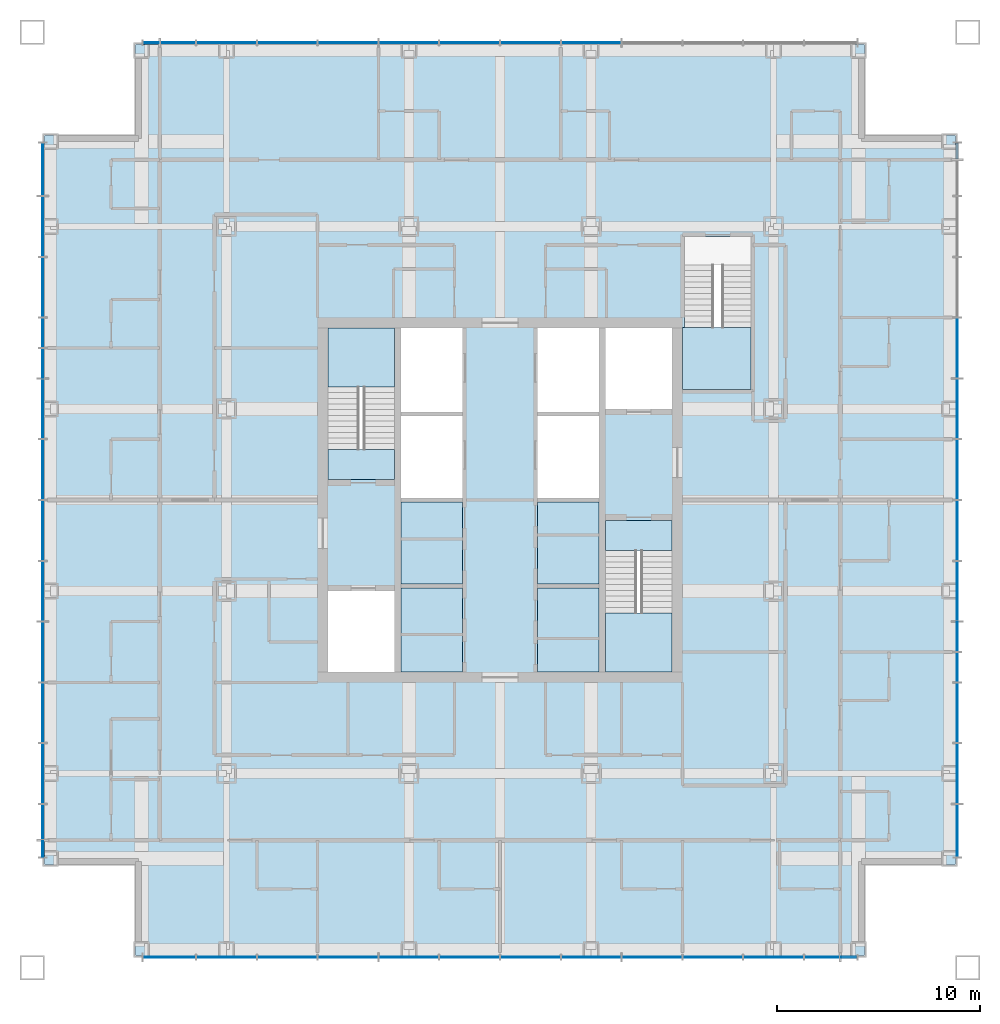
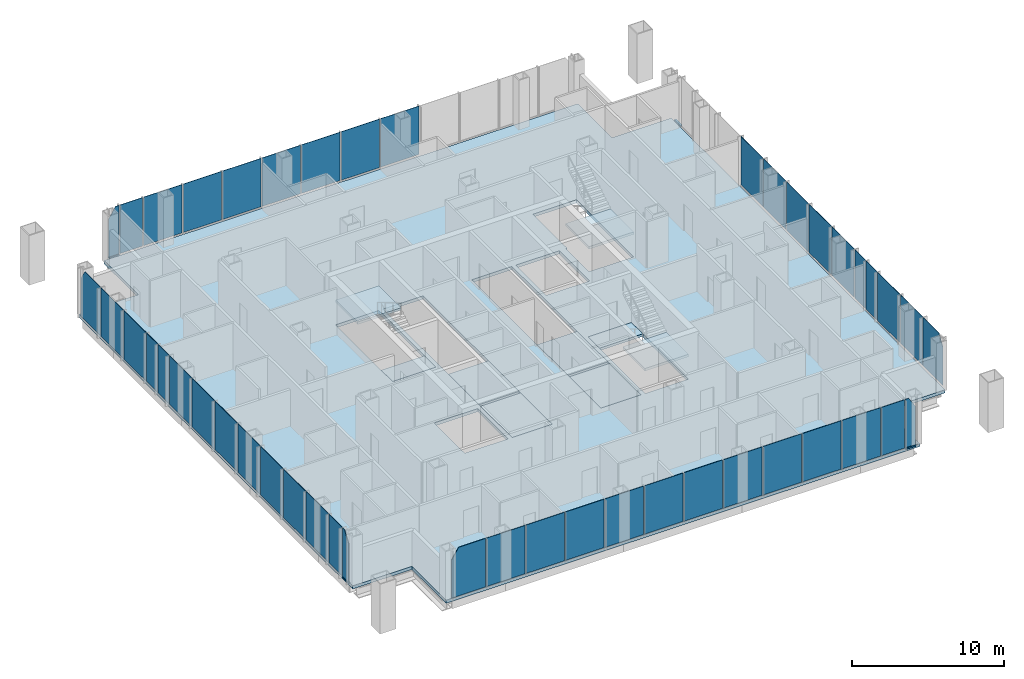
# One storey, part 5 of 11: 46 plates, 10 slabs, 4 members, 7 elements without a shape of their own.
"""IFC4 building model written with IfcOpenShell, lengths in metres."""

import ifcopenshell
import ifcopenshell.guid

model = None  # the IFC model being written
_history = None  # IfcOwnerHistory: only IFC2X3 demands one
_inside = {}  # id of a spatial element -> (the spatial element, [elements in it])
_under = {}  # id of a project, library or spatial element -> (it, [spatial elements below it])
_declared = {}  # id of a project -> (the project, [libraries it declares])
_typed = {}  # id of a type object -> (the type object, [elements of that type])
_made_of = {}  # id of a material, layer set ... -> (it, [elements and type objects made of it])


def new_model(schema):
    """Start an empty IFC model of exactly this schema.

    Asked for "IFC4X3", IfcOpenShell would pick the latest addendum, in which some entities
    have other attributes; the version numbers below select the first issue.
    IFC2X3 requires an IfcOwnerHistory on every rooted entity: one is made here for all.
    """
    global model, _history
    if schema == "IFC4X3":
        model = ifcopenshell.file(schema_version=(4, 3, 0, 0))
    else:
        model = ifcopenshell.file(schema=schema)
    _inside.clear()
    _under.clear()
    _declared.clear()
    _typed.clear()
    _made_of.clear()
    _history = None
    if model.schema == "IFC2X3":
        org = make("IfcOrganization", Name="unknown")
        user = make(
            "IfcPersonAndOrganization",
            ThePerson=make("IfcPerson", FamilyName="unknown"),
            TheOrganization=org,
        )
        app = make(
            "IfcApplication",
            ApplicationDeveloper=org,
            Version="unknown",
            ApplicationFullName="unknown",
            ApplicationIdentifier="unknown",
        )
        _history = make(
            "IfcOwnerHistory",
            OwningUser=user,
            OwningApplication=app,
            ChangeAction="ADDED",
            CreationDate=0,
        )
    return model


def make(cls, **values):
    """One entity of the class cls with the attributes given. An attribute that is None is left unset."""
    return model.create_entity(
        cls, **{name: value for name, value in values.items() if value is not None}
    )


def rooted(cls, **values):
    """An entity with a GlobalId (a new one), such as an element, a storey or a relation."""
    return make(cls, GlobalId=ifcopenshell.guid.new(), OwnerHistory=_history, **values)


def si_unit(unit_type, name, prefix=None):
    """IfcSIUnit, for example si_unit("LENGTHUNIT", "METRE", prefix="MILLI")."""
    return make("IfcSIUnit", UnitType=unit_type, Prefix=prefix, Name=name)


def assignment(units):
    """IfcUnitAssignment: the units of a project."""
    return None if units is None else make("IfcUnitAssignment", Units=units)


def point(xyz):
    """IfcCartesianPoint."""
    return None if xyz is None else make("IfcCartesianPoint", Coordinates=xyz)


def direction(xyz):
    """IfcDirection."""
    return None if xyz is None else make("IfcDirection", DirectionRatios=xyz)


def frame(location, z_axis=None, x_axis=None):
    """IfcAxis2Placement3D, a coordinate frame: its origin and axes. An axis left out is left unset."""
    return make(
        "IfcAxis2Placement3D",
        Location=point(location),
        Axis=direction(z_axis),
        RefDirection=direction(x_axis),
    )


def frame_2d(location, x_axis=None):
    """IfcAxis2Placement2D, a coordinate frame in the plane: its origin and x axis."""
    return make(
        "IfcAxis2Placement2D", Location=point(location), RefDirection=direction(x_axis)
    )


def origin():
    """The frame at (0, 0, 0) with its axes left unset."""
    return frame((0.0, 0.0, 0.0))


def origin_2d():
    """The frame at (0, 0) in the plane with its x axis left unset."""
    return frame_2d((0.0, 0.0))


def place(relative_to, where):
    """IfcLocalPlacement: puts the frame where relative to a parent placement (None: the world)."""
    return make(
        "IfcLocalPlacement", PlacementRelTo=relative_to, RelativePlacement=where
    )


def context(
    kind, dimensions, precision=None, world=None, true_north=None, identifier=None
):
    """IfcGeometricRepresentationContext, for example the 3D "Model" context."""
    return make(
        "IfcGeometricRepresentationContext",
        ContextIdentifier=identifier,
        ContextType=kind,
        CoordinateSpaceDimension=dimensions,
        Precision=precision,
        WorldCoordinateSystem=world,
        TrueNorth=true_north,
    )


def subcontext(parent, identifier, kind, view, scale=None):
    """IfcGeometricRepresentationSubContext, for example "Body" below "Model"."""
    return make(
        "IfcGeometricRepresentationSubContext",
        ContextIdentifier=identifier,
        ContextType=kind,
        ParentContext=parent,
        TargetScale=scale,
        TargetView=view,
    )


def project(units=None, contexts=None):
    """IfcProject with its units and contexts."""
    return rooted(
        "IfcProject",
        Name="project",
        RepresentationContexts=contexts,
        UnitsInContext=assignment(units),
    )


def spatial(cls, under=None, at=None, **own):
    """A site, building, storey or space (cls), placed at a placement, below another one or the project."""
    s = rooted(cls, ObjectPlacement=at, **own)
    if under is not None:
        _under.setdefault(under.id(), (under, []))[1].append(s)
    return s


def polyline(points):
    """IfcPolyline through the points."""
    return make("IfcPolyline", Points=[point(p) for p in points])


def profile(cls, at=None, kind="AREA", **sizes):
    """A parametric profile (cls). Its sizes go by their IFC names, for example OverallWidth=200.0."""
    return make(cls, ProfileType=kind, Position=at, **sizes)


def rectangle(**sizes):
    """IfcRectangleProfileDef."""
    return profile("IfcRectangleProfileDef", **sizes)


def outline(outer, holes=None, kind="AREA"):
    """IfcArbitraryClosedProfileDef: a profile drawn as a closed curve; with holes, ...WithVoids."""
    if holes is None:
        return make("IfcArbitraryClosedProfileDef", ProfileType=kind, OuterCurve=outer)
    return make(
        "IfcArbitraryProfileDefWithVoids",
        ProfileType=kind,
        OuterCurve=outer,
        InnerCurves=holes,
    )


def extrude(swept, where, along, depth):
    """IfcExtrudedAreaSolid: the profile swept, set in the frame where, extruded along a direction by depth."""
    return make(
        "IfcExtrudedAreaSolid",
        SweptArea=swept,
        Position=where,
        ExtrudedDirection=direction(along),
        Depth=depth,
    )


def shape(context_of_items, identifier, shape_type, items):
    """IfcShapeRepresentation: the items that make up one representation, for example the "Body"."""
    return make(
        "IfcShapeRepresentation",
        ContextOfItems=context_of_items,
        RepresentationIdentifier=identifier,
        RepresentationType=shape_type,
        Items=items,
    )


def material(Name=None, Category=None):
    """IfcMaterial."""
    return make("IfcMaterial", Name=Name, Category=Category)


def layer(
    of_material, thickness, ventilated=None, Name=None, Category=None, Priority=None
):
    """IfcMaterialLayer: one layer of a wall or slab, of a material (None: an air gap)."""
    return make(
        "IfcMaterialLayer",
        Material=of_material,
        LayerThickness=thickness,
        IsVentilated=ventilated,
        Name=Name,
        Category=Category,
        Priority=Priority,
    )


def layer_set(layers, Name=None):
    """IfcMaterialLayerSet."""
    return make("IfcMaterialLayerSet", MaterialLayers=layers, LayerSetName=Name)


def material_profile(
    of_material, cross_section, Name=None, Category=None, Priority=None
):
    """IfcMaterialProfile: a cross section and its material."""
    return make(
        "IfcMaterialProfile",
        Name=Name,
        Material=of_material,
        Profile=cross_section,
        Priority=Priority,
        Category=Category,
    )


def profile_set(profiles, Name=None, composite=None):
    """IfcMaterialProfileSet."""
    return make(
        "IfcMaterialProfileSet",
        Name=Name,
        MaterialProfiles=profiles,
        CompositeProfile=composite,
    )


def made_of(thing, what):
    """Note that an element or type object is made of a material, layer set ...; save() writes the relation."""
    if what is not None:
        _made_of.setdefault(what.id(), (what, []))[1].append(thing)
    return thing


def type_object(cls, material=None, **own):
    """A type object (cls), such as IfcWallType, which elements share."""
    return made_of(rooted(cls, **own), material)


def element(
    cls,
    number,
    at=None,
    inside=None,
    cuts=None,
    type_object=None,
    material=None,
    context=None,
    identifier="Body",
    shape_type=None,
    held_by="IfcProductDefinitionShape",
    body=None,
    shapes=None,
    **own,
):
    """One element of the class cls, such as IfcWall. Its Tag is "e" and its number.

    at: its placement. inside: the storey or other place that contains it. cuts: it is an
    opening in that element (IfcRelVoidsElement). A single representation is given by context,
    identifier, shape_type and body (its items); several are given by shapes. held_by: the class
    of the entity that holds the representations. save() writes the other relations.
    """
    e = rooted(cls, Tag="e%d" % number, ObjectPlacement=at, **own)
    if body is not None:
        shapes = [shape(context, identifier, shape_type, body)]
    if shapes is not None:
        e.Representation = make(held_by, Representations=shapes)
    if inside is not None:
        _inside.setdefault(inside.id(), (inside, []))[1].append(e)
    if cuts is not None:
        rooted(
            "IfcRelVoidsElement", RelatingBuildingElement=cuts, RelatedOpeningElement=e
        )
    if type_object is not None:
        _typed.setdefault(type_object.id(), (type_object, []))[1].append(e)
    return made_of(e, material)


def aggregate(whole, parts):
    """IfcRelAggregates: a whole, such as a stair, and the parts it consists of."""
    return rooted("IfcRelAggregates", RelatingObject=whole, RelatedObjects=parts)


def save(model, path):
    """Write the relations noted so far, then the file.

    IfcRelAggregates (storeys below a building ...), IfcRelContainedInSpatialStructure (elements
    in a storey), IfcRelDefinesByType, IfcRelAssociatesMaterial and IfcRelDeclares: one each for
    every whole, place, type object, material and project.
    """
    for whole, parts in _under.values():
        aggregate(whole, parts)
    for where, things in _inside.values():
        rooted(
            "IfcRelContainedInSpatialStructure",
            RelatedElements=things,
            RelatingStructure=where,
        )
    for kind, things in _typed.values():
        rooted("IfcRelDefinesByType", RelatedObjects=things, RelatingType=kind)
    for what, things in _made_of.values():
        rooted("IfcRelAssociatesMaterial", RelatedObjects=things, RelatingMaterial=what)
    for by, libraries in _declared.values():
        rooted("IfcRelDeclares", RelatingContext=by, RelatedDefinitions=libraries)
    model.write(path)


model = new_model("IFC4")

# Units and contexts
model_context = context("Model", 3, precision=1e-05, world=origin(), true_north=direction((0.0, 1.0)))
body_context = subcontext(model_context, "Body", "Model", "MODEL_VIEW")
ifc_project = project(units=[si_unit("LENGTHUNIT", "METRE"), si_unit("AREAUNIT", "SQUARE_METRE"), si_unit("VOLUMEUNIT", "CUBIC_METRE"), si_unit("PLANEANGLEUNIT", "RADIAN"), si_unit("MASSUNIT", "GRAM", prefix="KILO")], contexts=[model_context])

# Site, building, storey
site_placement = place(None, origin())
site = spatial("IfcSite", under=ifc_project, at=site_placement, CompositionType="ELEMENT")
building_placement = place(site_placement, origin())
building = spatial("IfcBuilding", under=site, at=building_placement, Name="Malebo Sky Hospital", CompositionType="ELEMENT")
storey_placement = place(building_placement, frame((0.0, 0.0, 213.0)))
storey = spatial("IfcBuildingStorey", under=building, at=storey_placement, Name="L51", CompositionType="ELEMENT", Elevation=213.0)

# Curtain wall, member
ifc_material_1 = material(Name="Anodised aluminium, natural silver", Category="aluminium")
ifc_layer_1 = layer(ifc_material_1, 0.25)
ifc_layer_set_1 = layer_set([ifc_layer_1], Name="WARD CURTAIN WALL NORTH AND SOUTH")
curtain_wall_type_1 = type_object("IfcCurtainWallType", Name="WARD CURTAIN WALL NORTH AND SOUTH", PredefinedType="NOTDEFINED", material=ifc_layer_set_1)
curtain_wall_1_placement = place(storey_placement, origin())
curtain_wall_1 = element("IfcCurtainWall", 1, at=curtain_wall_1_placement, inside=storey, type_object=curtain_wall_type_1, Name="NS curtain wall N", PredefinedType="NOTDEFINED")
ifc_material_profile = material_profile(ifc_material_1, rectangle(XDim=0.14990234375, YDim=0.10009765625, at=origin_2d()), Name="ALUMINIUM TRANSOM 150x100")
ifc_profile_set = profile_set([ifc_material_profile], Name="Anodised aluminium, natural silver")
member_type = type_object("IfcMemberType", Name="ALUMINIUM TRANSOM 150x100", PredefinedType="USERDEFINED", material=ifc_profile_set)
member_1_placement = place(storey_placement, frame((42.375, 84.574951171875, 0.050048828125), z_axis=(1.0, 0.0, 0.0), x_axis=(0.0, 1.0, 0.0)))
member_1 = element("IfcMember", 2, at=member_1_placement, type_object=member_type, Name="Transom 1", ObjectType="TRANSOM", PredefinedType="USERDEFINED", context=body_context, shape_type="SweptSolid", body=[
    extrude(rectangle(XDim=0.14990234375, YDim=0.10009765625, at=origin_2d()), origin(), (0.0, 0.0, 1.0), 0.78759765625),
])

ifc_layer_2 = layer(ifc_material_1, 0.25)
ifc_layer_set_2 = layer_set([ifc_layer_2], Name="WARD CURTAIN WALL EAST AND WEST")
curtain_wall_type_2 = type_object("IfcCurtainWallType", Name="WARD CURTAIN WALL EAST AND WEST", PredefinedType="NOTDEFINED", material=ifc_layer_set_2)
curtain_wall_2_placement = place(storey_placement, origin())
curtain_wall_2 = element("IfcCurtainWall", 3, at=curtain_wall_2_placement, inside=storey, type_object=curtain_wall_type_2, Name="EW curtain wall W", PredefinedType="NOTDEFINED")
member_2_placement = place(storey_placement, frame((37.425048828125, 44.375, 0.050048828125), z_axis=(0.0, 1.0, 0.0), x_axis=(-1.0, 0.0, 0.0)))
member_2 = element("IfcMember", 4, at=member_2_placement, type_object=member_type, Name="Transom 1", ObjectType="TRANSOM", PredefinedType="USERDEFINED", context=body_context, shape_type="SweptSolid", body=[
    extrude(rectangle(XDim=0.14990234375, YDim=0.10009765625, at=origin_2d()), origin(), (0.0, 0.0, 1.0), 0.78759765625),
])

curtain_wall_3_placement = place(storey_placement, origin())
curtain_wall_3 = element("IfcCurtainWall", 5, at=curtain_wall_3_placement, inside=storey, type_object=curtain_wall_type_1, Name="NS curtain wall S", PredefinedType="NOTDEFINED")
member_3_placement = place(storey_placement, frame((77.625, 39.425048828125, 0.050048828125), z_axis=(-1.0, 0.0, 0.0), x_axis=(0.0, -1.0, 0.0)))
member_3 = element("IfcMember", 6, at=member_3_placement, type_object=member_type, Name="Transom 1", ObjectType="TRANSOM", PredefinedType="USERDEFINED", context=body_context, shape_type="SweptSolid", body=[
    extrude(rectangle(XDim=0.14990234375, YDim=0.10009765625, at=origin_2d()), origin(), (0.0, 0.0, 1.0), 0.78759765625),
])

curtain_wall_4_placement = place(storey_placement, origin())
curtain_wall_4 = element("IfcCurtainWall", 7, at=curtain_wall_4_placement, inside=storey, type_object=curtain_wall_type_2, Name="EW curtain wall E", PredefinedType="NOTDEFINED")
member_4_placement = place(storey_placement, frame((82.574951171875, 79.625, 0.050048828125), z_axis=(0.0, -1.0, 0.0), x_axis=(1.0, 0.0, 0.0)))
member_4 = element("IfcMember", 8, at=member_4_placement, type_object=member_type, Name="Transom 1", ObjectType="TRANSOM", PredefinedType="USERDEFINED", context=body_context, shape_type="SweptSolid", body=[
    extrude(rectangle(XDim=0.14990234375, YDim=0.10009765625, at=origin_2d()), origin(), (0.0, 0.0, 1.0), 0.78759765625),
])

# Slabs
ifc_material_2 = material(Name="Concrete C40/50", Category="concrete")
ifc_layer_3 = layer(ifc_material_2, 0.25)
ifc_layer_set_3 = layer_set([ifc_layer_3], Name="COMPOSITE FLOOR SLAB 250")
slab_type_1 = type_object("IfcSlabType", Name="COMPOSITE FLOOR SLAB 250", PredefinedType="FLOOR", material=ifc_layer_set_3)
slab_1_placement = place(storey_placement, frame((0.0, 0.0, -0.25)))
element("IfcSlab", 9, at=slab_1_placement, inside=storey, type_object=slab_type_1, Name="Floor slab L51", PredefinedType="FLOOR", context=body_context, shape_type="SweptSolid", body=[
    extrude(outline(polyline([(42.0, 84.5), (42.0, 80.0), (37.5, 80.0), (37.5, 44.0), (42.0, 44.0), (42.0, 39.5), (78.0, 39.5), (78.0, 44.0), (82.5, 44.0), (82.5, 80.0), (78.0, 80.0), (78.0, 84.5), (42.0, 84.5)]), holes=[polyline([(55.10009765625, 70.5), (58.14990234375, 70.5), (58.14990234375, 53.5), (55.10009765625, 53.5), (55.10009765625, 70.5)]), polyline([(64.89990234375, 70.5), (64.89990234375, 53.5), (61.85009765625, 53.5), (61.85009765625, 70.5), (64.89990234375, 70.5)]), polyline([(54.800048828125, 63.0), (51.5, 63.0), (51.5, 70.5), (54.800048828125, 70.5), (54.800048828125, 63.0)]), polyline([(51.5, 53.5), (51.5, 57.5), (54.800048828125, 57.5), (54.800048828125, 53.5), (51.5, 53.5)]), polyline([(65.199951171875, 61.0), (68.5, 61.0), (68.5, 53.5), (65.199951171875, 53.5), (65.199951171875, 61.0)]), polyline([(68.5, 70.5), (68.5, 66.5), (65.199951171875, 66.5), (65.199951171875, 70.5), (68.5, 70.5)]), polyline([(69.0, 67.449951171875), (69.0, 70.52001953125), (69.10009765625, 70.52001953125), (69.10009765625, 75.0), (72.39990234375, 75.0), (72.39990234375, 67.449951171875), (69.10009765625, 67.449951171875), (69.0, 67.449951171875)])]), origin(), (0.0, 0.0, 1.0), 0.25),
])
ifc_layer_4 = layer(ifc_material_2, 0.25)
ifc_layer_set_4 = layer_set([ifc_layer_4], Name="SHAFT INFILL SLAB 250")
slab_type_2 = type_object("IfcSlabType", Name="SHAFT INFILL SLAB 250", PredefinedType="FLOOR", material=ifc_layer_set_4)
slab_2_placement = place(storey_placement, frame((0.0, 0.0, -0.25)))
element("IfcSlab", 10, at=slab_2_placement, inside=storey, type_object=slab_type_2, Name="Shaft infill slab W1 L51", PredefinedType="FLOOR", context=body_context, shape_type="SweptSolid", body=[
    extrude(outline(polyline([(55.10009765625, 53.5), (58.14990234375, 53.5), (58.14990234375, 57.64990234375), (55.10009765625, 57.64990234375), (55.10009765625, 53.5)])), origin(), (0.0, 0.0, 1.0), 0.25),
])
slab_3_placement = place(storey_placement, frame((0.0, 0.0, -0.25)))
element("IfcSlab", 11, at=slab_3_placement, inside=storey, type_object=slab_type_2, Name="Shaft infill slab W2 L51", PredefinedType="FLOOR", context=body_context, shape_type="SweptSolid", body=[
    extrude(outline(polyline([(55.10009765625, 57.85009765625), (58.14990234375, 57.85009765625), (58.14990234375, 61.89990234375), (55.10009765625, 61.89990234375), (55.10009765625, 57.85009765625)])), origin(), (0.0, 0.0, 1.0), 0.25),
])
slab_4_placement = place(storey_placement, frame((0.0, 0.0, -0.25)))
element("IfcSlab", 12, at=slab_4_placement, inside=storey, type_object=slab_type_2, Name="Shaft infill slab E1 L51", PredefinedType="FLOOR", context=body_context, shape_type="SweptSolid", body=[
    extrude(outline(polyline([(61.85009765625, 53.5), (64.89990234375, 53.5), (64.89990234375, 57.64990234375), (61.85009765625, 57.64990234375), (61.85009765625, 53.5)])), origin(), (0.0, 0.0, 1.0), 0.25),
])
slab_5_placement = place(storey_placement, frame((0.0, 0.0, -0.25)))
element("IfcSlab", 13, at=slab_5_placement, inside=storey, type_object=slab_type_2, Name="Shaft infill slab E2 L51", PredefinedType="FLOOR", context=body_context, shape_type="SweptSolid", body=[
    extrude(outline(polyline([(61.85009765625, 57.85009765625), (64.89990234375, 57.85009765625), (64.89990234375, 61.89990234375), (61.85009765625, 61.89990234375), (61.85009765625, 57.85009765625)])), origin(), (0.0, 0.0, 1.0), 0.25),
])

# Stair, slabs
stair_type_1 = type_object("IfcStairType", Name="HALF-TURN STAIR 1500 R167", PredefinedType="HALF_TURN_STAIR", material=ifc_material_2)
stair_1_placement = place(storey_placement, origin())
stair_1 = element("IfcStair", 14, at=stair_1_placement, inside=storey, type_object=stair_type_1, Name="Stair S1 L51 type ST1", PredefinedType="HALF_TURN_STAIR")
ifc_layer_5 = layer(ifc_material_2, 0.199951171875)
ifc_layer_set_5 = layer_set([ifc_layer_5], Name="STAIR LANDING 200")
slab_type_3 = type_object("IfcSlabType", Name="STAIR LANDING 200", PredefinedType="LANDING", material=ifc_layer_set_5)
slab_6_placement = place(storey_placement, frame((0.0, 0.0, -0.199951171875)))
slab_6 = element("IfcSlab", 15, at=slab_6_placement, type_object=slab_type_3, Name="S1 landing 1", PredefinedType="LANDING", context=body_context, shape_type="SweptSolid", body=[
    extrude(outline(polyline([(51.5, 63.0), (54.800048828125, 63.0), (54.800048828125, 64.5), (51.5, 64.5), (51.5, 63.0)])), origin(), (0.0, 0.0, 1.0), 0.199951171875),
])
slab_7_placement = place(storey_placement, frame((0.0, 0.0, 1.800048828125)))
slab_7 = element("IfcSlab", 16, at=slab_7_placement, type_object=slab_type_3, Name="S1 landing 2", PredefinedType="LANDING", context=body_context, shape_type="SweptSolid", body=[
    extrude(outline(polyline([(51.5, 67.580078125), (54.800048828125, 67.580078125), (54.800048828125, 70.5), (51.5, 70.5), (51.5, 67.580078125)])), origin(), (0.0, 0.0, 1.0), 0.199951171875),
])
aggregate(stair_1, [slab_6, slab_7])

stair_2_placement = place(storey_placement, origin())
stair_2 = element("IfcStair", 17, at=stair_2_placement, inside=storey, type_object=stair_type_1, Name="Stair S2 L51 type ST1", PredefinedType="HALF_TURN_STAIR")
slab_8_placement = place(storey_placement, frame((0.0, 0.0, -0.199951171875)))
slab_8 = element("IfcSlab", 18, at=slab_8_placement, type_object=slab_type_3, Name="S2 landing 1", PredefinedType="LANDING", context=body_context, shape_type="SweptSolid", body=[
    extrude(outline(polyline([(65.199951171875, 59.5), (68.5, 59.5), (68.5, 61.0), (65.199951171875, 61.0), (65.199951171875, 59.5)])), origin(), (0.0, 0.0, 1.0), 0.199951171875),
])
slab_9_placement = place(storey_placement, frame((0.0, 0.0, 1.800048828125)))
slab_9 = element("IfcSlab", 19, at=slab_9_placement, type_object=slab_type_3, Name="S2 landing 2", PredefinedType="LANDING", context=body_context, shape_type="SweptSolid", body=[
    extrude(outline(polyline([(65.199951171875, 53.5), (68.5, 53.5), (68.5, 56.419921875), (65.199951171875, 56.419921875), (65.199951171875, 53.5)])), origin(), (0.0, 0.0, 1.0), 0.199951171875),
])
aggregate(stair_2, [slab_8, slab_9])

# Stair, slab
stair_type_2 = type_object("IfcStairType", Name="HALF-TURN STAIR 1400 R167", PredefinedType="HALF_TURN_STAIR", material=ifc_material_2)
stair_3_placement = place(storey_placement, origin())
stair_3 = element("IfcStair", 20, at=stair_3_placement, inside=storey, type_object=stair_type_2, Name="Stair S3 L51 type ST1B", PredefinedType="HALF_TURN_STAIR")
slab_10_placement = place(storey_placement, frame((0.0, 0.0, 1.800048828125)))
slab_10 = element("IfcSlab", 21, at=slab_10_placement, type_object=slab_type_3, Name="S3 landing 2", PredefinedType="LANDING", context=body_context, shape_type="SweptSolid", body=[
    extrude(outline(polyline([(69.0, 67.449951171875), (72.39990234375, 67.449951171875), (72.39990234375, 70.52001953125), (69.0, 70.52001953125), (69.0, 67.449951171875)])), origin(), (0.0, 0.0, 1.0), 0.199951171875),
])
aggregate(stair_3, [slab_10])

# Plate
ifc_material_3 = material(Name="Clear low-iron double glazing", Category="glass")
ifc_layer_6 = layer(ifc_material_3, 0.031982421875)
ifc_layer_set_6 = layer_set([ifc_layer_6], Name="VISION PANEL CLEAR 32")
plate_type = type_object("IfcPlateType", Name="VISION PANEL CLEAR 32", PredefinedType="CURTAIN_PANEL", material=ifc_layer_set_6)
plate_1_placement = place(storey_placement, frame((42.768798828125, 84.574951171875, 0.10009765625), z_axis=(0.0, 0.0, 1.0), x_axis=(1.0, 0.0, 0.0)))
plate_1 = element("IfcPlate", 22, at=plate_1_placement, type_object=plate_type, Name="Panel 1", PredefinedType="CURTAIN_PANEL", context=body_context, shape_type="SweptSolid", body=[
    extrude(outline(polyline([(-0.393798828125, 0.0), (0.393798828125, 0.0), (0.393798828125, 3.889892578125), (0.13916015625, 3.889892578125), (-0.393798828125, 3.0595703125), (-0.393798828125, 0.0)])), frame((0.0, 0.01611328125, 0.0), z_axis=(0.0, -1.0, 0.0), x_axis=(1.0, 0.0, 0.0)), (0.0, 0.0, 1.0), 0.031982421875),
])

plate_2_placement = place(storey_placement, frame((44.10009765625, 84.574951171875, 0.10009765625), z_axis=(0.0, 0.0, 1.0), x_axis=(1.0, 0.0, 0.0)))
plate_2 = element("IfcPlate", 23, at=plate_2_placement, type_object=plate_type, Name="Panel 2", PredefinedType="CURTAIN_PANEL", context=body_context, shape_type="SweptSolid", body=[
    extrude(rectangle(XDim=1.72509765625, YDim=0.031982421875, at=origin_2d()), origin(), (0.0, 0.0, 1.0), 3.889892578125),
])

plate_3_placement = place(storey_placement, frame((46.5, 84.574951171875, 0.10009765625), z_axis=(0.0, 0.0, 1.0), x_axis=(1.0, 0.0, 0.0)))
plate_3 = element("IfcPlate", 24, at=plate_3_placement, type_object=plate_type, Name="Panel 3", PredefinedType="CURTAIN_PANEL", context=body_context, shape_type="SweptSolid", body=[
    extrude(rectangle(XDim=2.925048828125, YDim=0.031982421875, at=origin_2d()), origin(), (0.0, 0.0, 1.0), 3.889892578125),
])

plate_4_placement = place(storey_placement, frame((49.5, 84.574951171875, 0.10009765625), z_axis=(0.0, 0.0, 1.0), x_axis=(1.0, 0.0, 0.0)))
plate_4 = element("IfcPlate", 25, at=plate_4_placement, type_object=plate_type, Name="Panel 4", PredefinedType="CURTAIN_PANEL", context=body_context, shape_type="SweptSolid", body=[
    extrude(rectangle(XDim=2.925048828125, YDim=0.031982421875, at=origin_2d()), origin(), (0.0, 0.0, 1.0), 3.889892578125),
])

plate_5_placement = place(storey_placement, frame((52.5, 84.574951171875, 0.10009765625), z_axis=(0.0, 0.0, 1.0), x_axis=(1.0, 0.0, 0.0)))
plate_5 = element("IfcPlate", 26, at=plate_5_placement, type_object=plate_type, Name="Panel 5", PredefinedType="CURTAIN_PANEL", context=body_context, shape_type="SweptSolid", body=[
    extrude(rectangle(XDim=2.925048828125, YDim=0.031982421875, at=origin_2d()), origin(), (0.0, 0.0, 1.0), 3.889892578125),
])

plate_6_placement = place(storey_placement, frame((55.5, 84.574951171875, 0.10009765625), z_axis=(0.0, 0.0, 1.0), x_axis=(1.0, 0.0, 0.0)))
plate_6 = element("IfcPlate", 27, at=plate_6_placement, type_object=plate_type, Name="Panel 6", PredefinedType="CURTAIN_PANEL", context=body_context, shape_type="SweptSolid", body=[
    extrude(rectangle(XDim=2.925048828125, YDim=0.031982421875, at=origin_2d()), origin(), (0.0, 0.0, 1.0), 3.889892578125),
])

plate_7_placement = place(storey_placement, frame((58.5, 84.574951171875, 0.10009765625), z_axis=(0.0, 0.0, 1.0), x_axis=(1.0, 0.0, 0.0)))
plate_7 = element("IfcPlate", 28, at=plate_7_placement, type_object=plate_type, Name="Panel 7", PredefinedType="CURTAIN_PANEL", context=body_context, shape_type="SweptSolid", body=[
    extrude(rectangle(XDim=2.925048828125, YDim=0.031982421875, at=origin_2d()), origin(), (0.0, 0.0, 1.0), 3.889892578125),
])

plate_8_placement = place(storey_placement, frame((61.5, 84.574951171875, 0.10009765625), z_axis=(0.0, 0.0, 1.0), x_axis=(1.0, 0.0, 0.0)))
plate_8 = element("IfcPlate", 29, at=plate_8_placement, type_object=plate_type, Name="Panel 8", PredefinedType="CURTAIN_PANEL", context=body_context, shape_type="SweptSolid", body=[
    extrude(rectangle(XDim=2.925048828125, YDim=0.031982421875, at=origin_2d()), origin(), (0.0, 0.0, 1.0), 3.889892578125),
])

plate_9_placement = place(storey_placement, frame((64.5, 84.574951171875, 0.10009765625), z_axis=(0.0, 0.0, 1.0), x_axis=(1.0, 0.0, 0.0)))
plate_9 = element("IfcPlate", 30, at=plate_9_placement, type_object=plate_type, Name="Panel 9", PredefinedType="CURTAIN_PANEL", context=body_context, shape_type="SweptSolid", body=[
    extrude(rectangle(XDim=2.925048828125, YDim=0.031982421875, at=origin_2d()), origin(), (0.0, 0.0, 1.0), 3.889892578125),
])

aggregate(curtain_wall_1, [member_1, plate_1, plate_2, plate_3, plate_4, plate_5, plate_6, plate_7, plate_8, plate_9])

plate_10_placement = place(storey_placement, frame((37.425048828125, 44.768798828125, 0.10009765625), z_axis=(0.0, 0.0, 1.0), x_axis=(0.0, 1.0, 0.0)))
plate_10 = element("IfcPlate", 31, at=plate_10_placement, type_object=plate_type, Name="Panel 1", PredefinedType="CURTAIN_PANEL", context=body_context, shape_type="SweptSolid", body=[
    extrude(outline(polyline([(-0.393798828125, 0.0), (0.393798828125, 0.0), (0.393798828125, 3.889892578125), (0.13916015625, 3.889892578125), (-0.393798828125, 3.0595703125), (-0.393798828125, 0.0)])), frame((0.0, 0.01611328125, 0.0), z_axis=(0.0, -1.0, 0.0), x_axis=(1.0, 0.0, 0.0)), (0.0, 0.0, 1.0), 0.031982421875),
])

plate_11_placement = place(storey_placement, frame((37.425048828125, 46.10009765625, 0.10009765625), z_axis=(0.0, 0.0, 1.0), x_axis=(0.0, 1.0, 0.0)))
plate_11 = element("IfcPlate", 32, at=plate_11_placement, type_object=plate_type, Name="Panel 2", PredefinedType="CURTAIN_PANEL", context=body_context, shape_type="SweptSolid", body=[
    extrude(rectangle(XDim=1.72509765625, YDim=0.031982421875, at=origin_2d()), origin(), (0.0, 0.0, 1.0), 3.889892578125),
])

plate_12_placement = place(storey_placement, frame((37.425048828125, 48.5, 0.10009765625), z_axis=(0.0, 0.0, 1.0), x_axis=(0.0, 1.0, 0.0)))
plate_12 = element("IfcPlate", 33, at=plate_12_placement, type_object=plate_type, Name="Panel 3", PredefinedType="CURTAIN_PANEL", context=body_context, shape_type="SweptSolid", body=[
    extrude(rectangle(XDim=2.925048828125, YDim=0.031982421875, at=origin_2d()), origin(), (0.0, 0.0, 1.0), 3.889892578125),
])

plate_13_placement = place(storey_placement, frame((37.425048828125, 51.5, 0.10009765625), z_axis=(0.0, 0.0, 1.0), x_axis=(0.0, 1.0, 0.0)))
plate_13 = element("IfcPlate", 34, at=plate_13_placement, type_object=plate_type, Name="Panel 4", PredefinedType="CURTAIN_PANEL", context=body_context, shape_type="SweptSolid", body=[
    extrude(rectangle(XDim=2.925048828125, YDim=0.031982421875, at=origin_2d()), origin(), (0.0, 0.0, 1.0), 3.889892578125),
])

plate_14_placement = place(storey_placement, frame((37.425048828125, 54.5, 0.10009765625), z_axis=(0.0, 0.0, 1.0), x_axis=(0.0, 1.0, 0.0)))
plate_14 = element("IfcPlate", 35, at=plate_14_placement, type_object=plate_type, Name="Panel 5", PredefinedType="CURTAIN_PANEL", context=body_context, shape_type="SweptSolid", body=[
    extrude(rectangle(XDim=2.925048828125, YDim=0.031982421875, at=origin_2d()), origin(), (0.0, 0.0, 1.0), 3.889892578125),
])

plate_15_placement = place(storey_placement, frame((37.425048828125, 57.5, 0.10009765625), z_axis=(0.0, 0.0, 1.0), x_axis=(0.0, 1.0, 0.0)))
plate_15 = element("IfcPlate", 36, at=plate_15_placement, type_object=plate_type, Name="Panel 6", PredefinedType="CURTAIN_PANEL", context=body_context, shape_type="SweptSolid", body=[
    extrude(rectangle(XDim=2.925048828125, YDim=0.031982421875, at=origin_2d()), origin(), (0.0, 0.0, 1.0), 3.889892578125),
])

plate_16_placement = place(storey_placement, frame((37.425048828125, 60.5, 0.10009765625), z_axis=(0.0, 0.0, 1.0), x_axis=(0.0, 1.0, 0.0)))
plate_16 = element("IfcPlate", 37, at=plate_16_placement, type_object=plate_type, Name="Panel 7", PredefinedType="CURTAIN_PANEL", context=body_context, shape_type="SweptSolid", body=[
    extrude(rectangle(XDim=2.925048828125, YDim=0.031982421875, at=origin_2d()), origin(), (0.0, 0.0, 1.0), 3.889892578125),
])

plate_17_placement = place(storey_placement, frame((37.425048828125, 63.5, 0.10009765625), z_axis=(0.0, 0.0, 1.0), x_axis=(0.0, 1.0, 0.0)))
plate_17 = element("IfcPlate", 38, at=plate_17_placement, type_object=plate_type, Name="Panel 8", PredefinedType="CURTAIN_PANEL", context=body_context, shape_type="SweptSolid", body=[
    extrude(rectangle(XDim=2.925048828125, YDim=0.031982421875, at=origin_2d()), origin(), (0.0, 0.0, 1.0), 3.889892578125),
])

plate_18_placement = place(storey_placement, frame((37.425048828125, 66.5, 0.10009765625), z_axis=(0.0, 0.0, 1.0), x_axis=(0.0, 1.0, 0.0)))
plate_18 = element("IfcPlate", 39, at=plate_18_placement, type_object=plate_type, Name="Panel 9", PredefinedType="CURTAIN_PANEL", context=body_context, shape_type="SweptSolid", body=[
    extrude(rectangle(XDim=2.925048828125, YDim=0.031982421875, at=origin_2d()), origin(), (0.0, 0.0, 1.0), 3.889892578125),
])

plate_19_placement = place(storey_placement, frame((37.425048828125, 68.75, 0.10009765625), z_axis=(0.0, 0.0, 1.0), x_axis=(0.0, 1.0, 0.0)))
plate_19 = element("IfcPlate", 40, at=plate_19_placement, type_object=plate_type, Name="Panel 10", PredefinedType="CURTAIN_PANEL", context=body_context, shape_type="SweptSolid", body=[
    extrude(rectangle(XDim=1.425048828125, YDim=0.031982421875, at=origin_2d()), origin(), (0.0, 0.0, 1.0), 3.889892578125),
])

plate_20_placement = place(storey_placement, frame((37.425048828125, 70.25, 0.10009765625), z_axis=(0.0, 0.0, 1.0), x_axis=(0.0, 1.0, 0.0)))
plate_20 = element("IfcPlate", 41, at=plate_20_placement, type_object=plate_type, Name="Panel 11", PredefinedType="CURTAIN_PANEL", context=body_context, shape_type="SweptSolid", body=[
    extrude(rectangle(XDim=1.425048828125, YDim=0.031982421875, at=origin_2d()), origin(), (0.0, 0.0, 1.0), 3.889892578125),
])

plate_21_placement = place(storey_placement, frame((37.425048828125, 72.5, 0.10009765625), z_axis=(0.0, 0.0, 1.0), x_axis=(0.0, 1.0, 0.0)))
plate_21 = element("IfcPlate", 42, at=plate_21_placement, type_object=plate_type, Name="Panel 12", PredefinedType="CURTAIN_PANEL", context=body_context, shape_type="SweptSolid", body=[
    extrude(rectangle(XDim=2.925048828125, YDim=0.031982421875, at=origin_2d()), origin(), (0.0, 0.0, 1.0), 3.889892578125),
])

plate_22_placement = place(storey_placement, frame((37.425048828125, 75.5, 0.10009765625), z_axis=(0.0, 0.0, 1.0), x_axis=(0.0, 1.0, 0.0)))
plate_22 = element("IfcPlate", 43, at=plate_22_placement, type_object=plate_type, Name="Panel 13", PredefinedType="CURTAIN_PANEL", context=body_context, shape_type="SweptSolid", body=[
    extrude(rectangle(XDim=2.925048828125, YDim=0.031982421875, at=origin_2d()), origin(), (0.0, 0.0, 1.0), 3.889892578125),
])

plate_23_placement = place(storey_placement, frame((37.425048828125, 78.331298828125, 0.10009765625), z_axis=(0.0, 0.0, 1.0), x_axis=(0.0, 1.0, 0.0)))
plate_23 = element("IfcPlate", 44, at=plate_23_placement, type_object=plate_type, Name="Panel 14", PredefinedType="CURTAIN_PANEL", context=body_context, shape_type="SweptSolid", body=[
    extrude(outline(polyline([(-1.293701171875, 0.0), (1.293701171875, 0.0), (1.293701171875, 3.0595703125), (0.760986328125, 3.889892578125), (-1.293701171875, 3.889892578125), (-1.293701171875, 0.0)])), frame((0.0, 0.01611328125, 0.0), z_axis=(0.0, -1.0, 0.0), x_axis=(1.0, 0.0, 0.0)), (0.0, 0.0, 1.0), 0.031982421875),
])

aggregate(curtain_wall_2, [member_2, plate_10, plate_11, plate_12, plate_13, plate_14, plate_15, plate_16, plate_17, plate_18, plate_19, plate_20, plate_21, plate_22, plate_23])

plate_24_placement = place(storey_placement, frame((77.231201171875, 39.425048828125, 0.10009765625), z_axis=(0.0, 0.0, 1.0), x_axis=(-1.0, 0.0, 0.0)))
plate_24 = element("IfcPlate", 45, at=plate_24_placement, type_object=plate_type, Name="Panel 1", PredefinedType="CURTAIN_PANEL", context=body_context, shape_type="SweptSolid", body=[
    extrude(outline(polyline([(-0.393798828125, 0.0), (0.393798828125, 0.0), (0.393798828125, 3.889892578125), (0.13916015625, 3.889892578125), (-0.393798828125, 3.0595703125), (-0.393798828125, 0.0)])), frame((0.0, 0.01611328125, 0.0), z_axis=(0.0, -1.0, 0.0), x_axis=(1.0, 0.0, 0.0)), (0.0, 0.0, 1.0), 0.031982421875),
])

plate_25_placement = place(storey_placement, frame((75.89990234375, 39.425048828125, 0.10009765625), z_axis=(0.0, 0.0, 1.0), x_axis=(-1.0, 0.0, 0.0)))
plate_25 = element("IfcPlate", 46, at=plate_25_placement, type_object=plate_type, Name="Panel 2", PredefinedType="CURTAIN_PANEL", context=body_context, shape_type="SweptSolid", body=[
    extrude(rectangle(XDim=1.72509765625, YDim=0.031982421875, at=origin_2d()), origin(), (0.0, 0.0, 1.0), 3.889892578125),
])

plate_26_placement = place(storey_placement, frame((73.5, 39.425048828125, 0.10009765625), z_axis=(0.0, 0.0, 1.0), x_axis=(-1.0, 0.0, 0.0)))
plate_26 = element("IfcPlate", 47, at=plate_26_placement, type_object=plate_type, Name="Panel 3", PredefinedType="CURTAIN_PANEL", context=body_context, shape_type="SweptSolid", body=[
    extrude(rectangle(XDim=2.925048828125, YDim=0.031982421875, at=origin_2d()), origin(), (0.0, 0.0, 1.0), 3.889892578125),
])

plate_27_placement = place(storey_placement, frame((70.5, 39.425048828125, 0.10009765625), z_axis=(0.0, 0.0, 1.0), x_axis=(-1.0, 0.0, 0.0)))
plate_27 = element("IfcPlate", 48, at=plate_27_placement, type_object=plate_type, Name="Panel 4", PredefinedType="CURTAIN_PANEL", context=body_context, shape_type="SweptSolid", body=[
    extrude(rectangle(XDim=2.925048828125, YDim=0.031982421875, at=origin_2d()), origin(), (0.0, 0.0, 1.0), 3.889892578125),
])

plate_28_placement = place(storey_placement, frame((67.5, 39.425048828125, 0.10009765625), z_axis=(0.0, 0.0, 1.0), x_axis=(-1.0, 0.0, 0.0)))
plate_28 = element("IfcPlate", 49, at=plate_28_placement, type_object=plate_type, Name="Panel 5", PredefinedType="CURTAIN_PANEL", context=body_context, shape_type="SweptSolid", body=[
    extrude(rectangle(XDim=2.925048828125, YDim=0.031982421875, at=origin_2d()), origin(), (0.0, 0.0, 1.0), 3.889892578125),
])

plate_29_placement = place(storey_placement, frame((64.5, 39.425048828125, 0.10009765625), z_axis=(0.0, 0.0, 1.0), x_axis=(-1.0, 0.0, 0.0)))
plate_29 = element("IfcPlate", 50, at=plate_29_placement, type_object=plate_type, Name="Panel 6", PredefinedType="CURTAIN_PANEL", context=body_context, shape_type="SweptSolid", body=[
    extrude(rectangle(XDim=2.925048828125, YDim=0.031982421875, at=origin_2d()), origin(), (0.0, 0.0, 1.0), 3.889892578125),
])

plate_30_placement = place(storey_placement, frame((61.5, 39.425048828125, 0.10009765625), z_axis=(0.0, 0.0, 1.0), x_axis=(-1.0, 0.0, 0.0)))
plate_30 = element("IfcPlate", 51, at=plate_30_placement, type_object=plate_type, Name="Panel 7", PredefinedType="CURTAIN_PANEL", context=body_context, shape_type="SweptSolid", body=[
    extrude(rectangle(XDim=2.925048828125, YDim=0.031982421875, at=origin_2d()), origin(), (0.0, 0.0, 1.0), 3.889892578125),
])

plate_31_placement = place(storey_placement, frame((58.5, 39.425048828125, 0.10009765625), z_axis=(0.0, 0.0, 1.0), x_axis=(-1.0, 0.0, 0.0)))
plate_31 = element("IfcPlate", 52, at=plate_31_placement, type_object=plate_type, Name="Panel 8", PredefinedType="CURTAIN_PANEL", context=body_context, shape_type="SweptSolid", body=[
    extrude(rectangle(XDim=2.925048828125, YDim=0.031982421875, at=origin_2d()), origin(), (0.0, 0.0, 1.0), 3.889892578125),
])

plate_32_placement = place(storey_placement, frame((55.5, 39.425048828125, 0.10009765625), z_axis=(0.0, 0.0, 1.0), x_axis=(-1.0, 0.0, 0.0)))
plate_32 = element("IfcPlate", 53, at=plate_32_placement, type_object=plate_type, Name="Panel 9", PredefinedType="CURTAIN_PANEL", context=body_context, shape_type="SweptSolid", body=[
    extrude(rectangle(XDim=2.925048828125, YDim=0.031982421875, at=origin_2d()), origin(), (0.0, 0.0, 1.0), 3.889892578125),
])

plate_33_placement = place(storey_placement, frame((52.5, 39.425048828125, 0.10009765625), z_axis=(0.0, 0.0, 1.0), x_axis=(-1.0, 0.0, 0.0)))
plate_33 = element("IfcPlate", 54, at=plate_33_placement, type_object=plate_type, Name="Panel 10", PredefinedType="CURTAIN_PANEL", context=body_context, shape_type="SweptSolid", body=[
    extrude(rectangle(XDim=2.925048828125, YDim=0.031982421875, at=origin_2d()), origin(), (0.0, 0.0, 1.0), 3.889892578125),
])

plate_34_placement = place(storey_placement, frame((49.5, 39.425048828125, 0.10009765625), z_axis=(0.0, 0.0, 1.0), x_axis=(-1.0, 0.0, 0.0)))
plate_34 = element("IfcPlate", 55, at=plate_34_placement, type_object=plate_type, Name="Panel 11", PredefinedType="CURTAIN_PANEL", context=body_context, shape_type="SweptSolid", body=[
    extrude(rectangle(XDim=2.925048828125, YDim=0.031982421875, at=origin_2d()), origin(), (0.0, 0.0, 1.0), 3.889892578125),
])

plate_35_placement = place(storey_placement, frame((46.5, 39.425048828125, 0.10009765625), z_axis=(0.0, 0.0, 1.0), x_axis=(-1.0, 0.0, 0.0)))
plate_35 = element("IfcPlate", 56, at=plate_35_placement, type_object=plate_type, Name="Panel 12", PredefinedType="CURTAIN_PANEL", context=body_context, shape_type="SweptSolid", body=[
    extrude(rectangle(XDim=2.925048828125, YDim=0.031982421875, at=origin_2d()), origin(), (0.0, 0.0, 1.0), 3.889892578125),
])

plate_36_placement = place(storey_placement, frame((43.668701171875, 39.425048828125, 0.10009765625), z_axis=(0.0, 0.0, 1.0), x_axis=(-1.0, 0.0, 0.0)))
plate_36 = element("IfcPlate", 57, at=plate_36_placement, type_object=plate_type, Name="Panel 13", PredefinedType="CURTAIN_PANEL", context=body_context, shape_type="SweptSolid", body=[
    extrude(outline(polyline([(-1.293701171875, 0.0), (1.293701171875, 0.0), (1.293701171875, 3.0595703125), (0.760986328125, 3.889892578125), (-1.293701171875, 3.889892578125), (-1.293701171875, 0.0)])), frame((0.0, 0.01611328125, 0.0), z_axis=(0.0, -1.0, 0.0), x_axis=(1.0, 0.0, 0.0)), (0.0, 0.0, 1.0), 0.031982421875),
])

aggregate(curtain_wall_3, [member_3, plate_24, plate_25, plate_26, plate_27, plate_28, plate_29, plate_30, plate_31, plate_32, plate_33, plate_34, plate_35, plate_36])

plate_37_placement = place(storey_placement, frame((82.574951171875, 69.5, 0.10009765625), z_axis=(0.0, 0.0, 1.0), x_axis=(0.0, -1.0, 0.0)))
plate_37 = element("IfcPlate", 58, at=plate_37_placement, type_object=plate_type, Name="Panel 5", PredefinedType="CURTAIN_PANEL", context=body_context, shape_type="SweptSolid", body=[
    extrude(rectangle(XDim=2.925048828125, YDim=0.031982421875, at=origin_2d()), origin(), (0.0, 0.0, 1.0), 3.889892578125),
])

plate_38_placement = place(storey_placement, frame((82.574951171875, 66.5, 0.10009765625), z_axis=(0.0, 0.0, 1.0), x_axis=(0.0, -1.0, 0.0)))
plate_38 = element("IfcPlate", 59, at=plate_38_placement, type_object=plate_type, Name="Panel 6", PredefinedType="CURTAIN_PANEL", context=body_context, shape_type="SweptSolid", body=[
    extrude(rectangle(XDim=2.925048828125, YDim=0.031982421875, at=origin_2d()), origin(), (0.0, 0.0, 1.0), 3.889892578125),
])

plate_39_placement = place(storey_placement, frame((82.574951171875, 63.5, 0.10009765625), z_axis=(0.0, 0.0, 1.0), x_axis=(0.0, -1.0, 0.0)))
plate_39 = element("IfcPlate", 60, at=plate_39_placement, type_object=plate_type, Name="Panel 7", PredefinedType="CURTAIN_PANEL", context=body_context, shape_type="SweptSolid", body=[
    extrude(rectangle(XDim=2.925048828125, YDim=0.031982421875, at=origin_2d()), origin(), (0.0, 0.0, 1.0), 3.889892578125),
])

plate_40_placement = place(storey_placement, frame((82.574951171875, 60.5, 0.10009765625), z_axis=(0.0, 0.0, 1.0), x_axis=(0.0, -1.0, 0.0)))
plate_40 = element("IfcPlate", 61, at=plate_40_placement, type_object=plate_type, Name="Panel 8", PredefinedType="CURTAIN_PANEL", context=body_context, shape_type="SweptSolid", body=[
    extrude(rectangle(XDim=2.925048828125, YDim=0.031982421875, at=origin_2d()), origin(), (0.0, 0.0, 1.0), 3.889892578125),
])

plate_41_placement = place(storey_placement, frame((82.574951171875, 57.5, 0.10009765625), z_axis=(0.0, 0.0, 1.0), x_axis=(0.0, -1.0, 0.0)))
plate_41 = element("IfcPlate", 62, at=plate_41_placement, type_object=plate_type, Name="Panel 9", PredefinedType="CURTAIN_PANEL", context=body_context, shape_type="SweptSolid", body=[
    extrude(rectangle(XDim=2.925048828125, YDim=0.031982421875, at=origin_2d()), origin(), (0.0, 0.0, 1.0), 3.889892578125),
])

plate_42_placement = place(storey_placement, frame((82.574951171875, 55.25, 0.10009765625), z_axis=(0.0, 0.0, 1.0), x_axis=(0.0, -1.0, 0.0)))
plate_42 = element("IfcPlate", 63, at=plate_42_placement, type_object=plate_type, Name="Panel 10", PredefinedType="CURTAIN_PANEL", context=body_context, shape_type="SweptSolid", body=[
    extrude(rectangle(XDim=1.425048828125, YDim=0.031982421875, at=origin_2d()), origin(), (0.0, 0.0, 1.0), 3.889892578125),
])

plate_43_placement = place(storey_placement, frame((82.574951171875, 53.75, 0.10009765625), z_axis=(0.0, 0.0, 1.0), x_axis=(0.0, -1.0, 0.0)))
plate_43 = element("IfcPlate", 64, at=plate_43_placement, type_object=plate_type, Name="Panel 11", PredefinedType="CURTAIN_PANEL", context=body_context, shape_type="SweptSolid", body=[
    extrude(rectangle(XDim=1.425048828125, YDim=0.031982421875, at=origin_2d()), origin(), (0.0, 0.0, 1.0), 3.889892578125),
])

plate_44_placement = place(storey_placement, frame((82.574951171875, 51.5, 0.10009765625), z_axis=(0.0, 0.0, 1.0), x_axis=(0.0, -1.0, 0.0)))
plate_44 = element("IfcPlate", 65, at=plate_44_placement, type_object=plate_type, Name="Panel 12", PredefinedType="CURTAIN_PANEL", context=body_context, shape_type="SweptSolid", body=[
    extrude(rectangle(XDim=2.925048828125, YDim=0.031982421875, at=origin_2d()), origin(), (0.0, 0.0, 1.0), 3.889892578125),
])

plate_45_placement = place(storey_placement, frame((82.574951171875, 48.5, 0.10009765625), z_axis=(0.0, 0.0, 1.0), x_axis=(0.0, -1.0, 0.0)))
plate_45 = element("IfcPlate", 66, at=plate_45_placement, type_object=plate_type, Name="Panel 13", PredefinedType="CURTAIN_PANEL", context=body_context, shape_type="SweptSolid", body=[
    extrude(rectangle(XDim=2.925048828125, YDim=0.031982421875, at=origin_2d()), origin(), (0.0, 0.0, 1.0), 3.889892578125),
])

plate_46_placement = place(storey_placement, frame((82.574951171875, 45.668701171875, 0.10009765625), z_axis=(0.0, 0.0, 1.0), x_axis=(0.0, -1.0, 0.0)))
plate_46 = element("IfcPlate", 67, at=plate_46_placement, type_object=plate_type, Name="Panel 14", PredefinedType="CURTAIN_PANEL", context=body_context, shape_type="SweptSolid", body=[
    extrude(outline(polyline([(-1.293701171875, 0.0), (1.293701171875, 0.0), (1.293701171875, 3.0595703125), (0.760986328125, 3.889892578125), (-1.293701171875, 3.889892578125), (-1.293701171875, 0.0)])), frame((0.0, 0.01611328125, 0.0), z_axis=(0.0, -1.0, 0.0), x_axis=(1.0, 0.0, 0.0)), (0.0, 0.0, 1.0), 0.031982421875),
])

aggregate(curtain_wall_4, [member_4, plate_37, plate_38, plate_39, plate_40, plate_41, plate_42, plate_43, plate_44, plate_45, plate_46])

save(model, "model.ifc")
